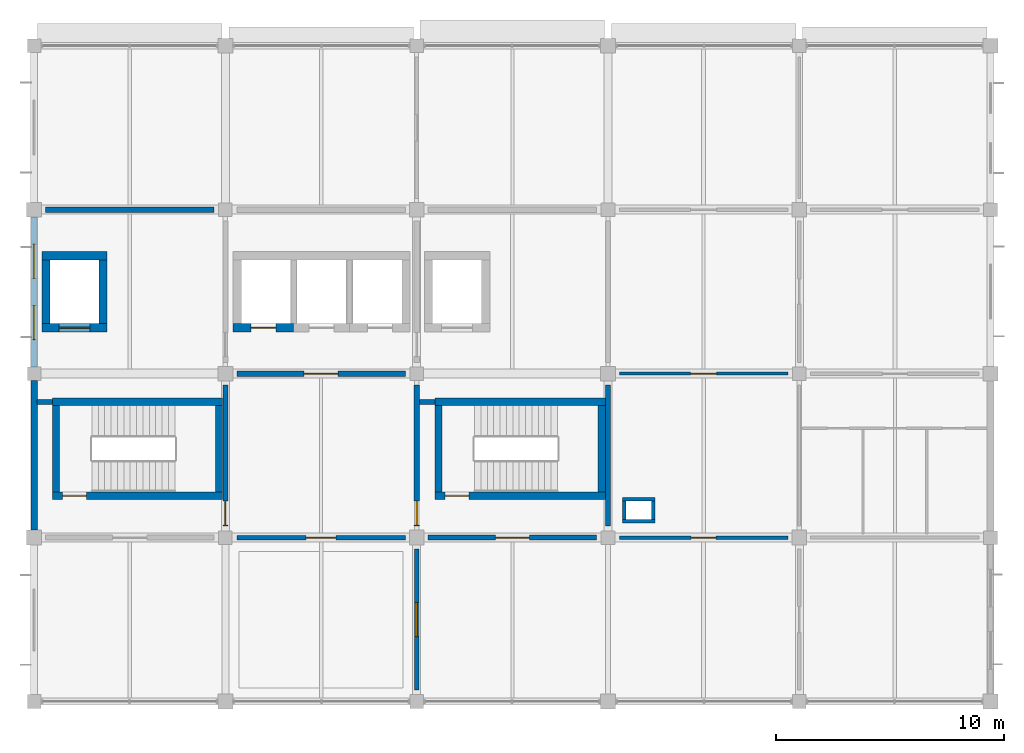
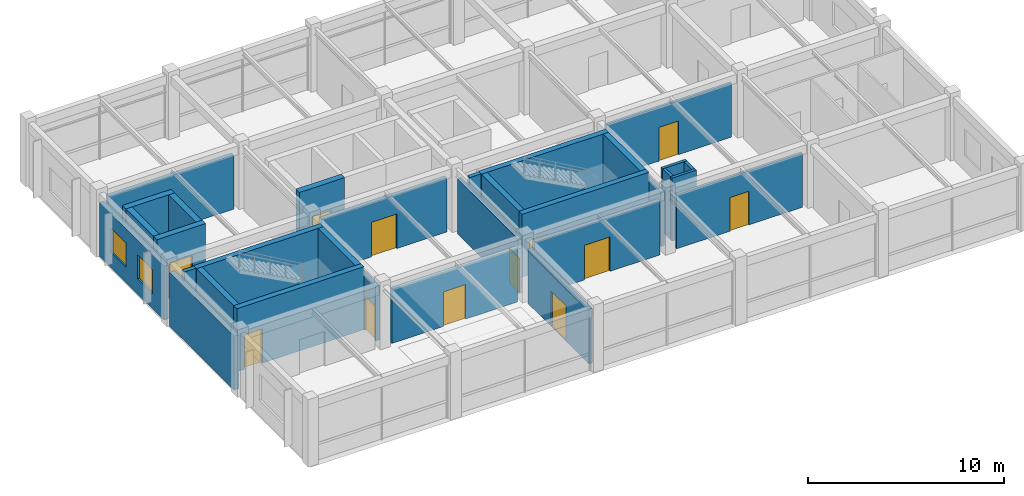
# One storey, part 8 of 11: 31 walls, 12 doors, 2 windows, 14 openings.
"""IFC4 building model written with IfcOpenShell, lengths in metres."""

from ifc_helpers import new_model, si_unit, derived_unit, direction, frame, frame_2d, origin, place, context, subcontext, project, spatial, rectangle, extrude, material, layer, layer_set, type_object, element, fill, save


model = new_model("IFC4")

# Units and contexts
model_context = context("Model", 3, precision=1e-05, world=origin(), true_north=direction((0.0, 1.0)))
body_context = subcontext(model_context, "Body", "Model", "MODEL_VIEW")
ifc_project = project(units=[si_unit("LENGTHUNIT", "METRE"), si_unit("AREAUNIT", "SQUARE_METRE"), si_unit("VOLUMEUNIT", "CUBIC_METRE"), si_unit("PLANEANGLEUNIT", "RADIAN"), si_unit("MASSUNIT", "GRAM", prefix="KILO"), derived_unit("THERMALTRANSMITTANCEUNIT", [(si_unit("MASSUNIT", "GRAM", prefix="KILO"), 1), (si_unit("TIMEUNIT", "SECOND"), -3), (si_unit("THERMODYNAMICTEMPERATUREUNIT", "KELVIN"), -1)])], contexts=[model_context])

# Site, building, storey
site_placement = place(None, origin())
site = spatial("IfcSite", under=ifc_project, at=site_placement, CompositionType="ELEMENT")
building_placement = place(site_placement, origin())
building = spatial("IfcBuilding", under=site, at=building_placement, Name="Veldstrom Oceanarium and Marine Research Institute", CompositionType="ELEMENT")
storey_placement = place(building_placement, frame((0.0, 0.0, 48.0)))
storey = spatial("IfcBuildingStorey", under=building, at=storey_placement, Name="L10", CompositionType="ELEMENT", Elevation=48.0)

# Wall
ifc_material_1 = material(Name="Masonry Cavity Wall", Category="masonry")
ifc_layer_1 = layer(ifc_material_1, 0.2900390625)
ifc_layer_set_1 = layer_set([ifc_layer_1], Name="ARC-WAL-EW2")
wall_type_1 = type_object("IfcWallType", Name="ARC-WAL-EW2", PredefinedType="SOLIDWALL", material=ifc_layer_set_1)
wall_1_placement = place(storey_placement, frame((75.60009765625, 50.72509765625, 0.0), z_axis=(0.0, 0.0, 1.0), x_axis=(0.0, 1.0, 0.0)))
element("IfcWall", 1, at=wall_1_placement, inside=storey, type_object=wall_type_1, Name="Exterior Facade Wall EW2 L10-224", PredefinedType="SOLIDWALL", context=body_context, shape_type="SweptSolid", body=[
    extrude(rectangle(XDim=6.574951171875, YDim=0.2900390625, at=frame_2d((3.28759765625, 0.0))), origin(), (0.0, 0.0, 1.0), 3.364990234375),
])

# Wall, openings, windows
ifc_material_2 = material(Name="Masonry Cavity Wall", Category="masonry")
ifc_layer_2 = layer(ifc_material_2, 0.27001953125)
ifc_layer_set_2 = layer_set([ifc_layer_2], Name="ARC-WAL-EW3")
wall_type_2 = type_object("IfcWallType", Name="ARC-WAL-EW3", PredefinedType="SOLIDWALL", material=ifc_layer_set_2)
wall_2_placement = place(storey_placement, frame((75.60009765625, 57.89990234375, 0.0), z_axis=(0.0, 0.0, 1.0), x_axis=(0.0, 1.0, 0.0)))
wall_2 = element("IfcWall", 2, at=wall_2_placement, inside=storey, type_object=wall_type_2, Name="Exterior Facade Wall EW3 L10-225", PredefinedType="SOLIDWALL", context=body_context, shape_type="SweptSolid", body=[
    extrude(rectangle(XDim=6.5751953125, YDim=0.27001953125, at=frame_2d((3.28759765625, 0.0))), origin(), (0.0, 0.0, 1.0), 3.364990234375),
])
opening_1_placement = place(wall_2_placement, frame((1.191650390625, 0.0, 0.949951171875)))
opening_1 = element("IfcOpeningElement", 3, at=opening_1_placement, cuts=wall_2, Name="Opening W15", PredefinedType="OPENING", context=body_context, shape_type="SweptSolid", body=[
    extrude(rectangle(XDim=1.5, YDim=1.5, at=frame_2d((0.75, 0.75))), frame((0.0, 0.14501953125, 0.0), z_axis=(0.0, -1.0, 0.0), x_axis=(1.0, 0.0, 0.0)), (0.0, 0.0, 1.0), 0.2900390625),
])
opening_2_placement = place(wall_2_placement, frame((3.88330078125, 0.0, 0.949951171875)))
opening_2 = element("IfcOpeningElement", 4, at=opening_2_placement, cuts=wall_2, Name="Opening W15", PredefinedType="OPENING", context=body_context, shape_type="SweptSolid", body=[
    extrude(rectangle(XDim=1.5, YDim=1.5, at=frame_2d((0.75, 0.75))), frame((0.0, 0.14501953125, 0.0), z_axis=(0.0, -1.0, 0.0), x_axis=(1.0, 0.0, 0.0)), (0.0, 0.0, 1.0), 0.2900390625),
])
ifc_material_3 = material(Name="Double Glazed Low-E IGU", Category="glass")
window_type = type_object("IfcWindowType", Name="ARC-WIN-W15", PartitioningType="SINGLE_PANEL", PredefinedType="WINDOW", material=ifc_material_3)
window_1_placement = place(opening_1_placement, origin())
window_1 = element("IfcWindow", 5, at=window_1_placement, inside=storey, type_object=window_type, Name="Facade Window W15 L10-0201", OverallHeight=1.5, OverallWidth=1.5, PartitioningType="SINGLE_PANEL", PredefinedType="WINDOW", context=body_context, shape_type="SweptSolid", body=[
    extrude(rectangle(XDim=1.5, YDim=1.5, at=frame_2d((0.75, 0.75))), frame((0.0, 0.030029296875, 0.0), z_axis=(0.0, -1.0, 0.0), x_axis=(1.0, 0.0, 0.0)), (0.0, 0.0, 1.0), 0.06005859375),
])
fill(opening_1, window_1)
window_2_placement = place(opening_2_placement, origin())
window_2 = element("IfcWindow", 6, at=window_2_placement, inside=storey, type_object=window_type, Name="Facade Window W15 L10-0202", OverallHeight=1.5, OverallWidth=1.5, PartitioningType="SINGLE_PANEL", PredefinedType="WINDOW", context=body_context, shape_type="SweptSolid", body=[
    extrude(rectangle(XDim=1.5, YDim=1.5, at=frame_2d((0.75, 0.75))), frame((0.0, 0.030029296875, 0.0), z_axis=(0.0, -1.0, 0.0), x_axis=(1.0, 0.0, 0.0)), (0.0, 0.0, 1.0), 0.06005859375),
])
fill(opening_2, window_2)

# Wall, opening, door
ifc_material_4 = material(Name="Masonry Fire Compartment Wall", Category="masonry")
ifc_layer_3 = layer(ifc_material_4, 0.22998046875)
ifc_layer_set_3 = layer_set([ifc_layer_3], Name="ARC-WAL-PT1")
wall_type_3 = type_object("IfcWallType", Name="ARC-WAL-PT1", PredefinedType="PARTITIONING", material=ifc_layer_set_3)
wall_3_placement = place(storey_placement, frame((84.0, 50.89990234375, 0.0), z_axis=(0.0, 0.0, 1.0), x_axis=(0.0, 1.0, 0.0)))
wall_3 = element("IfcWall", 7, at=wall_3_placement, inside=storey, type_object=wall_type_3, Name="Interior Partition PT1 L10-1636", PredefinedType="PARTITIONING", context=body_context, shape_type="SweptSolid", body=[
    extrude(rectangle(XDim=6.2001953125, YDim=0.22998046875, at=frame_2d((3.10009765625, 0.0))), origin(), (0.0, 0.0, 1.0), 3.4150390625),
])
opening_3_placement = place(wall_3_placement, frame((0.050048828125, 0.0, 0.0)))
opening_3 = element("IfcOpeningElement", 8, at=opening_3_placement, cuts=wall_3, Name="Opening D-L10-998", PredefinedType="OPENING", context=body_context, shape_type="SweptSolid", body=[
    extrude(rectangle(XDim=1.050048828125, YDim=2.14990234375, at=frame_2d((0.52490234375, 1.074951171875))), frame((0.0, 0.125, 0.0), z_axis=(0.0, -1.0, 0.0), x_axis=(1.0, 0.0, 0.0)), (0.0, 0.0, 1.0), 0.25),
])
ifc_material_5 = material(Name="Painted Steel Fire Door", Category="steel")
door_type_1 = type_object("IfcDoorType", Name="ARC-DOR-SD1", OperationType="SINGLE_SWING_LEFT", PredefinedType="DOOR", material=ifc_material_5)
door_1_placement = place(opening_3_placement, frame((1.050048828125, 0.0, 0.0), z_axis=(0.0, 0.0, 1.0), x_axis=(-1.0, 0.0, 0.0)))
door_1 = element("IfcDoor", 9, at=door_1_placement, inside=storey, type_object=door_type_1, Name="Interior Door D-L10-998", OperationType="SINGLE_SWING_RIGHT", OverallHeight=2.14990234375, OverallWidth=1.050048828125, PredefinedType="DOOR", context=body_context, shape_type="SweptSolid", body=[
    extrude(rectangle(XDim=1.050048828125, YDim=2.14990234375, at=frame_2d((0.52490234375, 1.074951171875))), frame((0.0, 0.02490234375, 0.0), z_axis=(0.0, -1.0, 0.0), x_axis=(1.0, 0.0, 0.0)), (0.0, 0.0, 1.0), 0.050048828125),
])
fill(opening_3, door_1)

# Walls
wall_4_placement = place(storey_placement, frame((75.719970703125, 56.360107421875, 0.0), z_axis=(0.0, 0.0, 1.0), x_axis=(1.0, 0.0, 0.0)))
element("IfcWall", 10, at=wall_4_placement, inside=storey, type_object=wall_type_3, Name="Interior Partition PT1 L10-1637", PredefinedType="PARTITIONING", context=body_context, shape_type="SweptSolid", body=[
    extrude(rectangle(XDim=0.679931640625, YDim=0.22998046875, at=frame_2d((0.33984375, 0.0))), origin(), (0.0, 0.0, 1.0), 3.919921875),
])
wall_5_placement = place(storey_placement, frame((76.10009765625, 64.800048828125, 0.0), z_axis=(0.0, 0.0, 1.0), x_axis=(1.0, 0.0, 0.0)))
element("IfcWall", 11, at=wall_5_placement, inside=storey, type_object=wall_type_3, Name="Interior Partition PT1 L10-1639", PredefinedType="PARTITIONING", context=body_context, shape_type="SweptSolid", body=[
    extrude(rectangle(XDim=7.39990234375, YDim=0.22998046875, at=frame_2d((3.699951171875, 0.0))), origin(), (0.0, 0.0, 1.0), 3.364990234375),
])

# Wall, opening, door
wall_6_placement = place(storey_placement, frame((92.39990234375, 50.89990234375, 0.0), z_axis=(0.0, 0.0, 1.0), x_axis=(0.0, 1.0, 0.0)))
wall_6 = element("IfcWall", 12, at=wall_6_placement, inside=storey, type_object=wall_type_3, Name="Interior Partition PT1 L10-1642", PredefinedType="PARTITIONING", context=body_context, shape_type="SweptSolid", body=[
    extrude(rectangle(XDim=6.2001953125, YDim=0.22998046875, at=frame_2d((3.10009765625, 0.0))), origin(), (0.0, 0.0, 1.0), 3.4150390625),
])
opening_4_placement = place(wall_6_placement, frame((0.050048828125, 0.0, 0.0)))
opening_4 = element("IfcOpeningElement", 13, at=opening_4_placement, cuts=wall_6, Name="Opening D-L10-1002", PredefinedType="OPENING", context=body_context, shape_type="SweptSolid", body=[
    extrude(rectangle(XDim=1.050048828125, YDim=2.14990234375, at=frame_2d((0.52490234375, 1.074951171875))), frame((0.0, 0.125, 0.0), z_axis=(0.0, -1.0, 0.0), x_axis=(1.0, 0.0, 0.0)), (0.0, 0.0, 1.0), 0.25),
])
door_2_placement = place(opening_4_placement, origin())
door_2 = element("IfcDoor", 14, at=door_2_placement, inside=storey, type_object=door_type_1, Name="Interior Door D-L10-1002", OperationType="SINGLE_SWING_LEFT", OverallHeight=2.14990234375, OverallWidth=1.050048828125, PredefinedType="DOOR", context=body_context, shape_type="SweptSolid", body=[
    extrude(rectangle(XDim=1.050048828125, YDim=2.14990234375, at=frame_2d((0.52490234375, 1.074951171875))), frame((0.0, 0.02490234375, 0.0), z_axis=(0.0, -1.0, 0.0), x_axis=(1.0, 0.0, 0.0)), (0.0, 0.0, 1.0), 0.050048828125),
])
fill(opening_4, door_2)

wall_7_placement = place(storey_placement, frame((84.5, 57.60009765625, 0.0), z_axis=(0.0, 0.0, 1.0), x_axis=(1.0, 0.0, 0.0)))
wall_7 = element("IfcWall", 15, at=wall_7_placement, inside=storey, type_object=wall_type_3, Name="Interior Partition PT1 L10-1643", PredefinedType="PARTITIONING", context=body_context, shape_type="SweptSolid", body=[
    extrude(rectangle(XDim=7.39990234375, YDim=0.22998046875, at=frame_2d((3.699951171875, 0.0))), origin(), (0.0, 0.0, 1.0), 3.364990234375),
])
opening_5_placement = place(wall_7_placement, frame((2.949951171875, 0.0, 0.0)))
opening_5 = element("IfcOpeningElement", 16, at=opening_5_placement, cuts=wall_7, Name="Opening D-L10-1003", PredefinedType="OPENING", context=body_context, shape_type="SweptSolid", body=[
    extrude(rectangle(XDim=1.5, YDim=2.14990234375, at=frame_2d((0.75, 1.074951171875))), frame((0.0, 0.125, 0.0), z_axis=(0.0, -1.0, 0.0), x_axis=(1.0, 0.0, 0.0)), (0.0, 0.0, 1.0), 0.25),
])
ifc_material_6 = material(Name="Painted Steel Lobby Fire Door", Category="steel")
door_type_2 = type_object("IfcDoorType", Name="ARC-DOR-SD2", OperationType="DOUBLE_DOOR_SINGLE_SWING", PredefinedType="DOOR", material=ifc_material_6)
door_3_placement = place(opening_5_placement, origin())
door_3 = element("IfcDoor", 17, at=door_3_placement, inside=storey, type_object=door_type_2, Name="Interior Door D-L10-1003", OperationType="DOUBLE_DOOR_SINGLE_SWING", OverallHeight=2.14990234375, OverallWidth=1.5, PredefinedType="DOOR", context=body_context, shape_type="SweptSolid", body=[
    extrude(rectangle(XDim=1.5, YDim=2.14990234375, at=frame_2d((0.75, 1.074951171875))), frame((0.0, 0.02490234375, 0.0), z_axis=(0.0, -1.0, 0.0), x_axis=(1.0, 0.0, 0.0)), (0.0, 0.0, 1.0), 0.050048828125),
])
fill(opening_5, door_3)

wall_8_placement = place(storey_placement, frame((92.89990234375, 50.39990234375, 0.0), z_axis=(0.0, 0.0, 1.0), x_axis=(1.0, 0.0, 0.0)))
wall_8 = element("IfcWall", 18, at=wall_8_placement, inside=storey, type_object=wall_type_3, Name="Interior Partition PT1 L10-1647", PredefinedType="PARTITIONING", context=body_context, shape_type="SweptSolid", body=[
    extrude(rectangle(XDim=7.400146484375, YDim=0.22998046875, at=frame_2d((3.7001953125, 0.0))), origin(), (0.0, 0.0, 1.0), 3.364990234375),
])
opening_6_placement = place(wall_8_placement, frame((2.949951171875, 0.0, 0.0)))
opening_6 = element("IfcOpeningElement", 19, at=opening_6_placement, cuts=wall_8, Name="Opening D-L10-1006", PredefinedType="OPENING", context=body_context, shape_type="SweptSolid", body=[
    extrude(rectangle(XDim=1.5, YDim=2.14990234375, at=frame_2d((0.75, 1.074951171875))), frame((0.0, 0.125, 0.0), z_axis=(0.0, -1.0, 0.0), x_axis=(1.0, 0.0, 0.0)), (0.0, 0.0, 1.0), 0.25),
])
door_4_placement = place(opening_6_placement, frame((1.5, 0.0, 0.0), z_axis=(0.0, 0.0, 1.0), x_axis=(-1.0, 0.0, 0.0)))
door_4 = element("IfcDoor", 20, at=door_4_placement, inside=storey, type_object=door_type_2, Name="Interior Door D-L10-1006", OperationType="DOUBLE_DOOR_SINGLE_SWING", OverallHeight=2.14990234375, OverallWidth=1.5, PredefinedType="DOOR", context=body_context, shape_type="SweptSolid", body=[
    extrude(rectangle(XDim=1.5, YDim=2.14990234375, at=frame_2d((0.75, 1.074951171875))), frame((0.0, 0.02490234375, 0.0), z_axis=(0.0, -1.0, 0.0), x_axis=(1.0, 0.0, 0.0)), (0.0, 0.0, 1.0), 0.050048828125),
])
fill(opening_6, door_4)

# Walls
wall_9_placement = place(storey_placement, frame((100.800048828125, 50.89990234375, 0.0), z_axis=(0.0, 0.0, 1.0), x_axis=(0.0, 1.0, 0.0)))
element("IfcWall", 21, at=wall_9_placement, inside=storey, type_object=wall_type_3, Name="Interior Partition PT1 L10-1648", PredefinedType="PARTITIONING", context=body_context, shape_type="SweptSolid", body=[
    extrude(rectangle(XDim=6.2001953125, YDim=0.22998046875, at=frame_2d((3.10009765625, 0.0))), origin(), (0.0, 0.0, 1.0), 3.4150390625),
])
wall_10_placement = place(storey_placement, frame((92.52001953125, 56.360107421875, 0.0), z_axis=(0.0, 0.0, 1.0), x_axis=(1.0, 0.0, 0.0)))
element("IfcWall", 22, at=wall_10_placement, inside=storey, type_object=wall_type_3, Name="Interior Partition PT1 L10-1649", PredefinedType="PARTITIONING", context=body_context, shape_type="SweptSolid", body=[
    extrude(rectangle(XDim=0.679931640625, YDim=0.22998046875, at=frame_2d((0.33984375, 0.0))), origin(), (0.0, 0.0, 1.0), 3.919921875),
])

# Wall, opening, door
ifc_material_7 = material(Name="Masonry Acoustic Lab Partition", Category="masonry")
ifc_layer_4 = layer(ifc_material_7, 0.205078125)
ifc_layer_set_4 = layer_set([ifc_layer_4], Name="ARC-WAL-PT2")
wall_type_4 = type_object("IfcWallType", Name="ARC-WAL-PT2", PredefinedType="PARTITIONING", material=ifc_layer_set_4)
wall_11_placement = place(storey_placement, frame((92.39990234375, 43.699951171875, 0.0), z_axis=(0.0, 0.0, 1.0), x_axis=(0.0, 1.0, 0.0)))
wall_11 = element("IfcWall", 23, at=wall_11_placement, inside=storey, type_object=wall_type_4, Name="Interior Partition PT2 L10-1640", PredefinedType="PARTITIONING", context=body_context, shape_type="SweptSolid", body=[
    extrude(rectangle(XDim=6.199951171875, YDim=0.205078125, at=frame_2d((3.10009765625, 0.0))), origin(), (0.0, 0.0, 1.0), 3.4150390625),
])
opening_7_placement = place(wall_11_placement, frame((2.35009765625, 0.0, 0.0)))
opening_7 = element("IfcOpeningElement", 24, at=opening_7_placement, cuts=wall_11, Name="Opening D-L10-1000", PredefinedType="OPENING", context=body_context, shape_type="SweptSolid", body=[
    extrude(rectangle(XDim=1.5, YDim=2.199951171875, at=frame_2d((0.75, 1.10009765625))), frame((0.0, 0.112548828125, 0.0), z_axis=(0.0, -1.0, 0.0), x_axis=(1.0, 0.0, 0.0)), (0.0, 0.0, 1.0), 0.22509765625),
])
ifc_material_8 = material(Name="Laboratory Double Leaf Door", Category="timber")
door_type_3 = type_object("IfcDoorType", Name="ARC-DOR-ID03", OperationType="DOUBLE_DOOR_SINGLE_SWING", PredefinedType="DOOR", material=ifc_material_8)
door_5_placement = place(opening_7_placement, frame((1.5, 0.0, 0.0), z_axis=(0.0, 0.0, 1.0), x_axis=(-1.0, 0.0, 0.0)))
door_5 = element("IfcDoor", 25, at=door_5_placement, inside=storey, type_object=door_type_3, Name="Interior Door D-L10-1000", OperationType="DOUBLE_DOOR_SINGLE_SWING", OverallHeight=2.199951171875, OverallWidth=1.5, PredefinedType="DOOR", context=body_context, shape_type="SweptSolid", body=[
    extrude(rectangle(XDim=1.5, YDim=2.199951171875, at=frame_2d((0.75, 1.10009765625))), frame((0.0, 0.02490234375, 0.0), z_axis=(0.0, -1.0, 0.0), x_axis=(1.0, 0.0, 0.0)), (0.0, 0.0, 1.0), 0.050048828125),
])
fill(opening_7, door_5)

wall_12_placement = place(storey_placement, frame((84.5, 50.39990234375, 0.0), z_axis=(0.0, 0.0, 1.0), x_axis=(1.0, 0.0, 0.0)))
wall_12 = element("IfcWall", 26, at=wall_12_placement, inside=storey, type_object=wall_type_4, Name="Interior Partition PT2 L10-1641", PredefinedType="PARTITIONING", context=body_context, shape_type="SweptSolid", body=[
    extrude(rectangle(XDim=7.39990234375, YDim=0.205078125, at=frame_2d((3.699951171875, 0.0))), origin(), (0.0, 0.0, 1.0), 3.364990234375),
])
opening_8_placement = place(wall_12_placement, frame((3.050048828125, 0.0, 0.0)))
opening_8 = element("IfcOpeningElement", 27, at=opening_8_placement, cuts=wall_12, Name="Opening D-L10-1001", PredefinedType="OPENING", context=body_context, shape_type="SweptSolid", body=[
    extrude(rectangle(XDim=1.300048828125, YDim=2.14990234375, at=frame_2d((0.64990234375, 1.074951171875))), frame((0.0, 0.112548828125, 0.0), z_axis=(0.0, -1.0, 0.0), x_axis=(1.0, 0.0, 0.0)), (0.0, 0.0, 1.0), 0.22509765625),
])
ifc_material_9 = material(Name="Wet Lab Leaf-and-Half Door", Category="timber")
door_type_4 = type_object("IfcDoorType", Name="ARC-DOR-ID05", OperationType="SINGLE_SWING_LEFT", PredefinedType="DOOR", material=ifc_material_9)
door_6_placement = place(opening_8_placement, frame((1.300048828125, 0.0, 0.0), z_axis=(0.0, 0.0, 1.0), x_axis=(-1.0, 0.0, 0.0)))
door_6 = element("IfcDoor", 28, at=door_6_placement, inside=storey, type_object=door_type_4, Name="Interior Door D-L10-1001", OperationType="SINGLE_SWING_RIGHT", OverallHeight=2.14990234375, OverallWidth=1.300048828125, PredefinedType="DOOR", context=body_context, shape_type="SweptSolid", body=[
    extrude(rectangle(XDim=1.300048828125, YDim=2.14990234375, at=frame_2d((0.64990234375, 1.074951171875))), frame((0.0, 0.02490234375, 0.0), z_axis=(0.0, -1.0, 0.0), x_axis=(1.0, 0.0, 0.0)), (0.0, 0.0, 1.0), 0.050048828125),
])
fill(opening_8, door_6)

ifc_material_10 = material(Name="Drywall Corridor Partition", Category="gypsum")
ifc_layer_5 = layer(ifc_material_10, 0.155029296875)
ifc_layer_set_5 = layer_set([ifc_layer_5], Name="ARC-WAL-PT4")
wall_type_5 = type_object("IfcWallType", Name="ARC-WAL-PT4", PredefinedType="PARTITIONING", material=ifc_layer_set_5)
wall_13_placement = place(storey_placement, frame((101.300048828125, 50.39990234375, 0.0), z_axis=(0.0, 0.0, 1.0), x_axis=(1.0, 0.0, 0.0)))
wall_13 = element("IfcWall", 29, at=wall_13_placement, inside=storey, type_object=wall_type_5, Name="Interior Partition PT4 L10-1653", PredefinedType="PARTITIONING", context=body_context, shape_type="SweptSolid", body=[
    extrude(rectangle(XDim=7.39990234375, YDim=0.155029296875, at=frame_2d((3.699951171875, 0.0))), origin(), (0.0, 0.0, 1.0), 3.364990234375),
])
opening_9_placement = place(wall_13_placement, frame((3.14990234375, 0.0, 0.0)))
opening_9 = element("IfcOpeningElement", 30, at=opening_9_placement, cuts=wall_13, Name="Opening D-L10-1008", PredefinedType="OPENING", context=body_context, shape_type="SweptSolid", body=[
    extrude(rectangle(XDim=1.10009765625, YDim=2.10009765625, at=frame_2d((0.550048828125, 1.050048828125))), frame((0.0, 0.08740234375, 0.0), z_axis=(0.0, -1.0, 0.0), x_axis=(1.0, 0.0, 0.0)), (0.0, 0.0, 1.0), 0.175048828125),
])
ifc_material_11 = material(Name="Research Office Door", Category="timber")
door_type_5 = type_object("IfcDoorType", Name="ARC-DOR-ID07", OperationType="SINGLE_SWING_LEFT", PredefinedType="DOOR", material=ifc_material_11)
door_7_placement = place(opening_9_placement, origin())
door_7 = element("IfcDoor", 31, at=door_7_placement, inside=storey, type_object=door_type_5, Name="Interior Door D-L10-1008", OperationType="SINGLE_SWING_LEFT", OverallHeight=2.10009765625, OverallWidth=1.10009765625, PredefinedType="DOOR", context=body_context, shape_type="SweptSolid", body=[
    extrude(rectangle(XDim=1.10009765625, YDim=2.10009765625, at=frame_2d((0.550048828125, 1.050048828125))), frame((0.0, 0.02490234375, 0.0), z_axis=(0.0, -1.0, 0.0), x_axis=(1.0, 0.0, 0.0)), (0.0, 0.0, 1.0), 0.050048828125),
])
fill(opening_9, door_7)

ifc_material_12 = material(Name="Moisture-Resistant Wet-Area Partition", Category="masonry")
ifc_layer_6 = layer(ifc_material_12, 0.139892578125)
ifc_layer_set_6 = layer_set([ifc_layer_6], Name="ARC-WAL-PT5")
wall_type_6 = type_object("IfcWallType", Name="ARC-WAL-PT5", PredefinedType="PARTITIONING", material=ifc_layer_set_6)
wall_14_placement = place(storey_placement, frame((101.300048828125, 57.60009765625, 0.0), z_axis=(0.0, 0.0, 1.0), x_axis=(1.0, 0.0, 0.0)))
wall_14 = element("IfcWall", 32, at=wall_14_placement, inside=storey, type_object=wall_type_6, Name="Interior Partition PT5 L10-1655", PredefinedType="PARTITIONING", context=body_context, shape_type="SweptSolid", body=[
    extrude(rectangle(XDim=7.39990234375, YDim=0.139892578125, at=frame_2d((3.699951171875, 0.0))), origin(), (0.0, 0.0, 1.0), 3.364990234375),
])
opening_10_placement = place(wall_14_placement, frame((3.125, 0.0, 0.0)))
opening_10 = element("IfcOpeningElement", 33, at=opening_10_placement, cuts=wall_14, Name="Opening D-L10-1009", PredefinedType="OPENING", context=body_context, shape_type="SweptSolid", body=[
    extrude(rectangle(XDim=1.14990234375, YDim=2.10009765625, at=frame_2d((0.574951171875, 1.050048828125))), frame((0.0, 0.079833984375, 0.0), z_axis=(0.0, -1.0, 0.0), x_axis=(1.0, 0.0, 0.0)), (0.0, 0.0, 1.0), 0.159912109375),
])
ifc_material_13 = material(Name="Fellows Studio Door", Category="timber")
door_type_6 = type_object("IfcDoorType", Name="ARC-DOR-ID17", OperationType="SINGLE_SWING_LEFT", PredefinedType="DOOR", material=ifc_material_13)
door_8_placement = place(opening_10_placement, frame((1.14990234375, 0.0, 0.0), z_axis=(0.0, 0.0, 1.0), x_axis=(-1.0, 0.0, 0.0)))
door_8 = element("IfcDoor", 34, at=door_8_placement, inside=storey, type_object=door_type_6, Name="Interior Door D-L10-1009", OperationType="SINGLE_SWING_LEFT", OverallHeight=2.10009765625, OverallWidth=1.14990234375, PredefinedType="DOOR", context=body_context, shape_type="SweptSolid", body=[
    extrude(rectangle(XDim=1.14990234375, YDim=2.10009765625, at=frame_2d((0.574951171875, 1.050048828125))), frame((0.0, 0.02490234375, 0.0), z_axis=(0.0, -1.0, 0.0), x_axis=(1.0, 0.0, 0.0)), (0.0, 0.0, 1.0), 0.050048828125),
])
fill(opening_10, door_8)

# Walls
ifc_material_14 = material(Name="Service Riser Fire Shaft Wall", Category="masonry")
ifc_layer_7 = layer(ifc_material_14, 0.1650390625)
ifc_layer_set_7 = layer_set([ifc_layer_7], Name="ARC-WAL-PT9")
wall_type_7 = type_object("IfcWallType", Name="ARC-WAL-PT9", PredefinedType="PARTITIONING", material=ifc_layer_set_7)
for number, where, z_axis, x_axis, name in (
    (35, (101.43505859375, 51.117431640625, 0.0), (0.0, 0.0, 1.0), (1.0, 0.0, 0.0), "Service Riser Fire Shaft Wall L10-CE-S"),
    (36, (101.43505859375, 52.08251953125, 0.0), (0.0, 0.0, 1.0), (1.0, 0.0, 0.0), "Service Riser Fire Shaft Wall L10-CE-N"),
):
    element("IfcWall", number, at=place(storey_placement, frame(where, z_axis=z_axis, x_axis=x_axis)), inside=storey, type_object=wall_type_7, Name=name, PredefinedType="PARTITIONING", context=body_context, shape_type="SweptSolid", body=[
        extrude(rectangle(XDim=1.429931640625, YDim=0.1650390625, at=frame_2d((0.71484375, 0.0))), origin(), (0.0, 0.0, 1.0), 3.919921875),
    ])
for number, where, z_axis, x_axis, name in (
    (37, (101.517578125, 51.199951171875, 0.0), (0.0, 0.0, 1.0), (0.0, 1.0, 0.0), "Service Riser Fire Shaft Wall L10-CE-W"),
    (38, (102.782470703125, 51.199951171875, 0.0), (0.0, 0.0, 1.0), (0.0, 1.0, 0.0), "Service Riser Fire Shaft Wall L10-CE-E"),
):
    element("IfcWall", number, at=place(storey_placement, frame(where, z_axis=z_axis, x_axis=x_axis)), inside=storey, type_object=wall_type_7, Name=name, PredefinedType="PARTITIONING", context=body_context, shape_type="SweptSolid", body=[
        extrude(rectangle(XDim=0.800048828125, YDim=0.1650390625, at=frame_2d((0.39990234375, 0.0))), origin(), (0.0, 0.0, 1.0), 3.919921875),
    ])
ifc_material_15 = material(Name="Concrete C40/50", Category="concrete")
ifc_layer_8 = layer(ifc_material_15, 0.360107421875)
ifc_layer_set_8 = layer_set([ifc_layer_8], Name="STR-WAL-WC2")
wall_type_8 = type_object("IfcWallType", Name="STR-WAL-WC2", PredefinedType="SHEAR", material=ifc_layer_set_8)
wall_15_placement = place(storey_placement, frame((75.93994140625, 62.780029296875, 0.0), z_axis=(0.0, 0.0, 1.0), x_axis=(1.0, 0.0, 0.0)))
element("IfcWall", 39, at=wall_15_placement, inside=storey, type_object=wall_type_8, Name="Lift Shaft Shear Wall N L10 9/8", PredefinedType="SHEAR", context=body_context, shape_type="SweptSolid", body=[
    extrude(rectangle(XDim=2.8701171875, YDim=0.360107421875, at=frame_2d((1.43505859375, 0.0))), origin(), (0.0, 0.0, 1.0), 3.919921875),
])

# Wall, opening, door
wall_16_placement = place(storey_placement, frame((75.93994140625, 59.6201171875, 0.0), z_axis=(0.0, 0.0, 1.0), x_axis=(1.0, 0.0, 0.0)))
wall_16 = element("IfcWall", 40, at=wall_16_placement, inside=storey, type_object=wall_type_8, Name="Lift Shaft Front Shear Wall LF1 L10", PredefinedType="SHEAR", context=body_context, shape_type="SweptSolid", body=[
    extrude(rectangle(XDim=2.8701171875, YDim=0.360107421875, at=frame_2d((1.43505859375, 0.0))), origin(), (0.0, 0.0, 1.0), 3.919921875),
])
opening_11_placement = place(wall_16_placement, frame((0.760009765625, 0.0, 0.0)))
opening_11 = element("IfcOpeningElement", 41, at=opening_11_placement, cuts=wall_16, Name="Opening LD-LF1-L10", PredefinedType="OPENING", context=body_context, shape_type="SweptSolid", body=[
    extrude(rectangle(XDim=1.35009765625, YDim=2.199951171875, at=frame_2d((0.675048828125, 1.10009765625))), frame((0.0, 0.18994140625, 0.0), z_axis=(0.0, -1.0, 0.0), x_axis=(1.0, 0.0, 0.0)), (0.0, 0.0, 1.0), 0.380126953125),
])
ifc_material_16 = material(Name="Stainless Steel Lift Landing Door", Category="steel")
door_type_7 = type_object("IfcDoorType", Name="ARC-DOR-LD3", OperationType="DOUBLE_DOOR_SLIDING", PredefinedType="DOOR", material=ifc_material_16)
door_9_placement = place(opening_11_placement, origin())
door_9 = element("IfcDoor", 42, at=door_9_placement, inside=storey, type_object=door_type_7, Name="Lift Landing Door LD-LF1-L10", OperationType="DOUBLE_DOOR_SLIDING", OverallHeight=2.199951171875, OverallWidth=1.35009765625, PredefinedType="DOOR", context=body_context, shape_type="SweptSolid", body=[
    extrude(rectangle(XDim=1.35009765625, YDim=2.199951171875, at=frame_2d((0.675048828125, 1.10009765625))), frame((0.0, 0.02490234375, 0.0), z_axis=(0.0, -1.0, 0.0), x_axis=(1.0, 0.0, 0.0)), (0.0, 0.0, 1.0), 0.050048828125),
])
fill(opening_11, door_9)

# Walls
for number, where, z_axis, x_axis, name in (
    (43, (76.1201171875, 59.800048828125, 0.0), (0.0, 0.0, 1.0), (0.0, 1.0, 0.0), "Lift Shaft Shear Wall W L10 9/8"),
    (44, (78.6298828125, 59.800048828125, 0.0), (0.0, 0.0, 1.0), (0.0, 1.0, 0.0), "Lift Shaft Shear Wall E L10 9/8"),
):
    element("IfcWall", number, at=place(storey_placement, frame(where, z_axis=z_axis, x_axis=x_axis)), inside=storey, type_object=wall_type_8, Name=name, PredefinedType="SHEAR", context=body_context, shape_type="SweptSolid", body=[
        extrude(rectangle(XDim=2.800048828125, YDim=0.360107421875, at=frame_2d((1.39990234375, 0.0))), origin(), (0.0, 0.0, 1.0), 3.919921875),
    ])

# Wall, opening, door
wall_17_placement = place(storey_placement, frame((84.340087890625, 59.6201171875, 0.0), z_axis=(0.0, 0.0, 1.0), x_axis=(1.0, 0.0, 0.0)))
wall_17 = element("IfcWall", 45, at=wall_17_placement, inside=storey, type_object=wall_type_8, Name="Lift Shaft Front Shear Wall LP1 L10", PredefinedType="SHEAR", context=body_context, shape_type="SweptSolid", body=[
    extrude(rectangle(XDim=2.659912109375, YDim=0.360107421875, at=frame_2d((1.330078125, 0.0))), origin(), (0.0, 0.0, 1.0), 3.919921875),
])
opening_12_placement = place(wall_17_placement, frame((0.780029296875, 0.0, 0.0)))
opening_12 = element("IfcOpeningElement", 46, at=opening_12_placement, cuts=wall_17, Name="Opening LD-LP1-L10", PredefinedType="OPENING", context=body_context, shape_type="SweptSolid", body=[
    extrude(rectangle(XDim=1.10009765625, YDim=2.14990234375, at=frame_2d((0.550048828125, 1.074951171875))), frame((0.0, 0.18994140625, 0.0), z_axis=(0.0, -1.0, 0.0), x_axis=(1.0, 0.0, 0.0)), (0.0, 0.0, 1.0), 0.380126953125),
])
ifc_material_17 = material(Name="Stainless Steel Lift Landing Door", Category="steel")
door_type_8 = type_object("IfcDoorType", Name="ARC-DOR-LD1", OperationType="DOUBLE_DOOR_SLIDING", PredefinedType="DOOR", material=ifc_material_17)
door_10_placement = place(opening_12_placement, origin())
door_10 = element("IfcDoor", 47, at=door_10_placement, inside=storey, type_object=door_type_8, Name="Lift Landing Door LD-LP1-L10", OperationType="DOUBLE_DOOR_SLIDING", OverallHeight=2.14990234375, OverallWidth=1.10009765625, PredefinedType="DOOR", context=body_context, shape_type="SweptSolid", body=[
    extrude(rectangle(XDim=1.10009765625, YDim=2.14990234375, at=frame_2d((0.550048828125, 1.074951171875))), frame((0.0, 0.02490234375, 0.0), z_axis=(0.0, -1.0, 0.0), x_axis=(1.0, 0.0, 0.0)), (0.0, 0.0, 1.0), 0.050048828125),
])
fill(opening_12, door_10)

ifc_material_18 = material(Name="Concrete C40/50", Category="concrete")
ifc_layer_9 = layer(ifc_material_18, 0.320068359375)
ifc_layer_set_9 = layer_set([ifc_layer_9], Name="STR-WAL-WC3")
wall_type_9 = type_object("IfcWallType", Name="STR-WAL-WC3", PredefinedType="SHEAR", material=ifc_layer_set_9)
wall_18_placement = place(storey_placement, frame((76.39990234375, 52.239990234375, 0.0), z_axis=(0.0, 0.0, 1.0), x_axis=(1.0, 0.0, 0.0)))
wall_18 = element("IfcWall", 48, at=wall_18_placement, inside=storey, type_object=wall_type_9, Name="Stair Core Shear Wall SC1-L10-S", PredefinedType="SHEAR", context=body_context, shape_type="SweptSolid", body=[
    extrude(rectangle(XDim=7.47998046875, YDim=0.320068359375, at=frame_2d((3.739990234375, 0.0))), origin(), (0.0, 0.0, 1.0), 3.919921875),
])
opening_13_placement = place(wall_18_placement, frame((0.449951171875, 0.0, 0.0)))
opening_13 = element("IfcOpeningElement", 49, at=opening_13_placement, cuts=wall_18, Name="Opening D-ST1-L10", PredefinedType="OPENING", context=body_context, shape_type="SweptSolid", body=[
    extrude(rectangle(XDim=1.050048828125, YDim=2.14990234375, at=frame_2d((0.52490234375, 1.074951171875))), frame((0.0, 0.169921875, 0.0), z_axis=(0.0, -1.0, 0.0), x_axis=(1.0, 0.0, 0.0)), (0.0, 0.0, 1.0), 0.340087890625),
])
door_11_placement = place(opening_13_placement, origin())
door_11 = element("IfcDoor", 50, at=door_11_placement, inside=storey, type_object=door_type_1, Name="Escape Stair Fire Door D-ST1-L10", OperationType="SINGLE_SWING_LEFT", OverallHeight=2.14990234375, OverallWidth=1.050048828125, PredefinedType="DOOR", context=body_context, shape_type="SweptSolid", body=[
    extrude(rectangle(XDim=1.050048828125, YDim=2.14990234375, at=frame_2d((0.52490234375, 1.074951171875))), frame((0.0, 0.02490234375, 0.0), z_axis=(0.0, -1.0, 0.0), x_axis=(1.0, 0.0, 0.0)), (0.0, 0.0, 1.0), 0.050048828125),
])
fill(opening_13, door_11)

# Walls
wall_19_placement = place(storey_placement, frame((76.39990234375, 56.360107421875, 0.0), z_axis=(0.0, 0.0, 1.0), x_axis=(1.0, 0.0, 0.0)))
element("IfcWall", 51, at=wall_19_placement, inside=storey, type_object=wall_type_9, Name="Stair Core Shear Wall SC1-L10-N", PredefinedType="SHEAR", context=body_context, shape_type="SweptSolid", body=[
    extrude(rectangle(XDim=7.47998046875, YDim=0.320068359375, at=frame_2d((3.739990234375, 0.0))), origin(), (0.0, 0.0, 1.0), 3.919921875),
])
for number, where, z_axis, x_axis, name in (
    (52, (76.56005859375, 52.39990234375, 0.0), (0.0, 0.0, 1.0), (0.0, 1.0, 0.0), "Stair Core Shear Wall SC1-L10-W"),
    (53, (83.719970703125, 52.39990234375, 0.0), (0.0, 0.0, 1.0), (0.0, 1.0, 0.0), "Stair Core Shear Wall SC1-L10-E"),
):
    element("IfcWall", number, at=place(storey_placement, frame(where, z_axis=z_axis, x_axis=x_axis)), inside=storey, type_object=wall_type_9, Name=name, PredefinedType="SHEAR", context=body_context, shape_type="SweptSolid", body=[
        extrude(rectangle(XDim=3.800048828125, YDim=0.320068359375, at=frame_2d((1.89990234375, 0.0))), origin(), (0.0, 0.0, 1.0), 3.919921875),
    ])

# Wall, opening, door
wall_20_placement = place(storey_placement, frame((93.199951171875, 52.239990234375, 0.0), z_axis=(0.0, 0.0, 1.0), x_axis=(1.0, 0.0, 0.0)))
wall_20 = element("IfcWall", 54, at=wall_20_placement, inside=storey, type_object=wall_type_9, Name="Stair Core Shear Wall SC2-L10-S", PredefinedType="SHEAR", context=body_context, shape_type="SweptSolid", body=[
    extrude(rectangle(XDim=7.47998046875, YDim=0.320068359375, at=frame_2d((3.739990234375, 0.0))), origin(), (0.0, 0.0, 1.0), 3.919921875),
])
opening_14_placement = place(wall_20_placement, frame((0.449951171875, 0.0, 0.0)))
opening_14 = element("IfcOpeningElement", 55, at=opening_14_placement, cuts=wall_20, Name="Opening D-ST2-L10", PredefinedType="OPENING", context=body_context, shape_type="SweptSolid", body=[
    extrude(rectangle(XDim=1.050048828125, YDim=2.14990234375, at=frame_2d((0.52490234375, 1.074951171875))), frame((0.0, 0.169921875, 0.0), z_axis=(0.0, -1.0, 0.0), x_axis=(1.0, 0.0, 0.0)), (0.0, 0.0, 1.0), 0.340087890625),
])
door_12_placement = place(opening_14_placement, origin())
door_12 = element("IfcDoor", 56, at=door_12_placement, inside=storey, type_object=door_type_1, Name="Escape Stair Fire Door D-ST2-L10", OperationType="SINGLE_SWING_LEFT", OverallHeight=2.14990234375, OverallWidth=1.050048828125, PredefinedType="DOOR", context=body_context, shape_type="SweptSolid", body=[
    extrude(rectangle(XDim=1.050048828125, YDim=2.14990234375, at=frame_2d((0.52490234375, 1.074951171875))), frame((0.0, 0.02490234375, 0.0), z_axis=(0.0, -1.0, 0.0), x_axis=(1.0, 0.0, 0.0)), (0.0, 0.0, 1.0), 0.050048828125),
])
fill(opening_14, door_12)

# Walls
wall_21_placement = place(storey_placement, frame((93.199951171875, 56.360107421875, 0.0), z_axis=(0.0, 0.0, 1.0), x_axis=(1.0, 0.0, 0.0)))
element("IfcWall", 57, at=wall_21_placement, inside=storey, type_object=wall_type_9, Name="Stair Core Shear Wall SC2-L10-N", PredefinedType="SHEAR", context=body_context, shape_type="SweptSolid", body=[
    extrude(rectangle(XDim=7.47998046875, YDim=0.320068359375, at=frame_2d((3.739990234375, 0.0))), origin(), (0.0, 0.0, 1.0), 3.919921875),
])
for number, where, z_axis, x_axis, name in (
    (58, (93.360107421875, 52.39990234375, 0.0), (0.0, 0.0, 1.0), (0.0, 1.0, 0.0), "Stair Core Shear Wall SC2-L10-W"),
    (59, (100.52001953125, 52.39990234375, 0.0), (0.0, 0.0, 1.0), (0.0, 1.0, 0.0), "Stair Core Shear Wall SC2-L10-E"),
):
    element("IfcWall", number, at=place(storey_placement, frame(where, z_axis=z_axis, x_axis=x_axis)), inside=storey, type_object=wall_type_9, Name=name, PredefinedType="SHEAR", context=body_context, shape_type="SweptSolid", body=[
        extrude(rectangle(XDim=3.800048828125, YDim=0.320068359375, at=frame_2d((1.89990234375, 0.0))), origin(), (0.0, 0.0, 1.0), 3.919921875),
    ])

save(model, "model.ifc")
